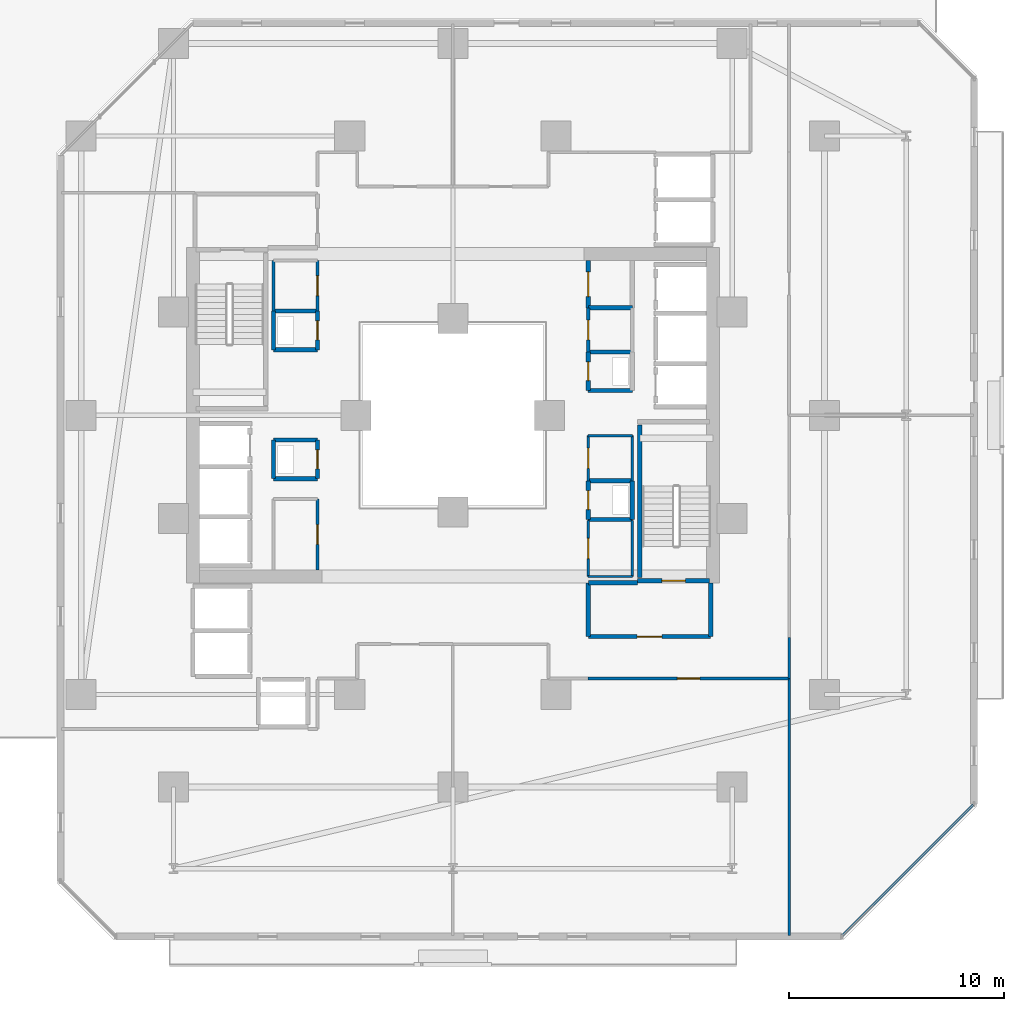
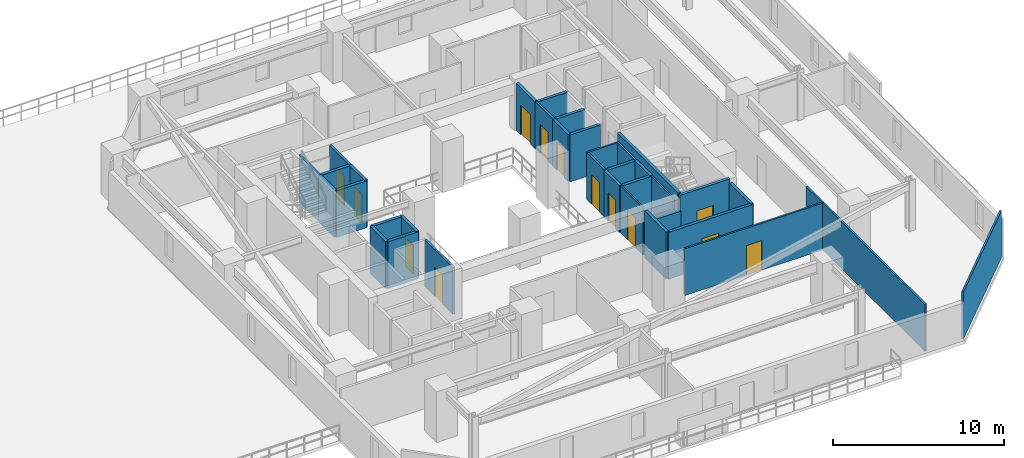
# One storey, part 23 of 34: 37 walls, 13 doors, 13 openings.
"""IFC4 building model written with IfcOpenShell, lengths in metres."""

from ifc_helpers import new_model, si_unit, direction, frame, frame_2d, origin, place, context, subcontext, project, spatial, rectangle, extrude, material, layer, layer_set, type_object, element, fill, save


model = new_model("IFC4")

# Units and contexts
model_context = context("Model", 3, precision=1e-05, world=origin(), true_north=direction((0.0, 1.0)))
body_context = subcontext(model_context, "Body", "Model", "MODEL_VIEW")
ifc_project = project(units=[si_unit("LENGTHUNIT", "METRE"), si_unit("AREAUNIT", "SQUARE_METRE"), si_unit("VOLUMEUNIT", "CUBIC_METRE"), si_unit("PLANEANGLEUNIT", "RADIAN"), si_unit("MASSUNIT", "GRAM", prefix="KILO")], contexts=[model_context])

# Site, building, storey
site_placement = place(None, origin())
site = spatial("IfcSite", under=ifc_project, at=site_placement, CompositionType="ELEMENT")
building_placement = place(site_placement, origin())
building = spatial("IfcBuilding", under=site, at=building_placement, Name="Thornwick Lancets Civic Towers", CompositionType="ELEMENT")
storey_placement = place(building_placement, frame((0.0, 0.0, 27.89990234375)))
storey = spatial("IfcBuildingStorey", under=building, at=storey_placement, Name="L06", CompositionType="ELEMENT", Elevation=27.89990234375)

# Wall, opening, door
ifc_material_1 = material(Name="Concrete blockwork C40/50", Category="masonry")
ifc_layer_1 = layer(ifc_material_1, 0.199951171875, Name="Concrete blockwork C40/50")
ifc_layer_set_1 = layer_set([ifc_layer_1], Name="Concrete blockwork C40/50")
wall_type_1 = type_object("IfcWallType", Name="WALL_COMP_200", PredefinedType="STANDARD", material=ifc_layer_set_1)
wall_1_placement = place(storey_placement, frame((94.800048828125, 16.699951171875, 0.0), z_axis=(0.0, 0.0, 1.0), x_axis=(1.0, 0.0, 0.0)))
wall_1 = element("IfcWall", 1, at=wall_1_placement, inside=storey, type_object=wall_type_1, Name="L06 Partition L06-B-FFLOB1 E1", PredefinedType="STANDARD", context=body_context, shape_type="SweptSolid", body=[
    extrude(rectangle(XDim=5.699951171875, YDim=0.199951171875, at=frame_2d((2.85009765625, 0.0))), origin(), (0.0, 0.0, 1.0), 3.340087890625),
])
opening_1_placement = place(wall_1_placement, frame((2.27490234375, 0.0, 0.0)))
opening_1 = element("IfcOpeningElement", 2, at=opening_1_placement, cuts=wall_1, Name="Opening D-L06-0333", PredefinedType="OPENING", context=body_context, shape_type="SweptSolid", body=[
    extrude(rectangle(XDim=1.14990234375, YDim=2.10009765625, at=frame_2d((0.574951171875, 1.050048828125))), frame((0.0, 0.10986328125, 0.0), z_axis=(0.0, -1.0, 0.0), x_axis=(1.0, 0.0, 0.0)), (0.0, 0.0, 1.0), 0.219970703125),
])
ifc_material_2 = material(Name="Glazed fire-resisting steel", Category="steel")
door_type_1 = type_object("IfcDoorType", Name="DOOR_LOBBY_FD60", OperationType="NOTDEFINED", PredefinedType="DOOR", material=ifc_material_2)
door_1_placement = place(opening_1_placement, origin())
door_1 = element("IfcDoor", 3, at=door_1_placement, inside=storey, type_object=door_type_1, Name="L06 East Firefighting Lobby 1 Door", OperationType="SINGLE_SWING_RIGHT", OverallHeight=2.10009765625, OverallWidth=1.14990234375, PredefinedType="DOOR", context=body_context, shape_type="SweptSolid", body=[
    extrude(rectangle(XDim=1.14990234375, YDim=2.10009765625, at=frame_2d((0.574951171875, 1.050048828125))), frame((0.0, 0.02490234375, 0.0), z_axis=(0.0, -1.0, 0.0), x_axis=(1.0, 0.0, 0.0)), (0.0, 0.0, 1.0), 0.050048828125),
])
fill(opening_1, door_1)

# Walls
wall_2_placement = place(storey_placement, frame((100.5, 16.699951171875, 0.0), z_axis=(0.0, 0.0, 1.0), x_axis=(0.0, 1.0, 0.0)))
element("IfcWall", 4, at=wall_2_placement, inside=storey, type_object=wall_type_1, Name="L06 Partition L06-B-FFLOB1 E2", PredefinedType="STANDARD", context=body_context, shape_type="SweptSolid", body=[
    extrude(rectangle(XDim=2.5, YDim=0.199951171875, at=frame_2d((1.25, 0.0))), origin(), (0.0, 0.0, 1.0), 3.340087890625),
])
wall_3_placement = place(storey_placement, frame((97.10009765625, 19.199951171875, 0.0), z_axis=(0.0, 0.0, 1.0), x_axis=(-1.0, 0.0, 0.0)))
element("IfcWall", 5, at=wall_3_placement, inside=storey, type_object=wall_type_1, Name="L06 Partition L06-B-FFLOB1 E3", PredefinedType="STANDARD", context=body_context, shape_type="SweptSolid", body=[
    extrude(rectangle(XDim=2.300048828125, YDim=0.199951171875, at=frame_2d((1.14990234375, 0.0))), origin(), (0.0, 0.0, 1.0), 2.545166015625),
])
wall_4_placement = place(storey_placement, frame((94.800048828125, 19.199951171875, 0.0), z_axis=(0.0, 0.0, 1.0), x_axis=(0.0, -1.0, 0.0)))
element("IfcWall", 6, at=wall_4_placement, inside=storey, type_object=wall_type_1, Name="L06 Partition L06-B-FFLOB1 E4", PredefinedType="STANDARD", context=body_context, shape_type="SweptSolid", body=[
    extrude(rectangle(XDim=2.5, YDim=0.199951171875, at=frame_2d((1.25, 0.0))), origin(), (0.0, 0.0, 1.0), 3.340087890625),
])
for number, where, z_axis, x_axis, name in (
    (7, (94.800048828125, 28.14990234375, 0.0), (0.0, 0.0, 1.0), (1.0, 0.0, 0.0), "L06 Partition L06-B-DUCT1 E1"),
    (8, (96.85009765625, 29.949951171875, 0.0), (0.0, 0.0, 1.0), (-1.0, 0.0, 0.0), "L06 Partition L06-B-DUCT1 E3"),
):
    element("IfcWall", number, at=place(storey_placement, frame(where, z_axis=z_axis, x_axis=x_axis)), inside=storey, type_object=wall_type_1, Name=name, PredefinedType="STANDARD", context=body_context, shape_type="SweptSolid", body=[
        extrude(rectangle(XDim=2.050048828125, YDim=0.199951171875, at=frame_2d((1.02490234375, 0.0))), origin(), (0.0, 0.0, 1.0), 3.340087890625),
    ])

# Wall, opening, door
wall_5_placement = place(storey_placement, frame((94.800048828125, 29.949951171875, 0.0), z_axis=(0.0, 0.0, 1.0), x_axis=(0.0, -1.0, 0.0)))
wall_5 = element("IfcWall", 9, at=wall_5_placement, inside=storey, type_object=wall_type_1, Name="L06 Partition L06-B-DUCT1 E4", PredefinedType="STANDARD", context=body_context, shape_type="SweptSolid", body=[
    extrude(rectangle(XDim=1.800048828125, YDim=0.199951171875, at=frame_2d((0.89990234375, 0.0))), origin(), (0.0, 0.0, 1.0), 3.340087890625),
])
opening_2_placement = place(wall_5_placement, frame((0.4599609375, 0.0, 0.0)))
opening_2 = element("IfcOpeningElement", 10, at=opening_2_placement, cuts=wall_5, Name="Opening D-L06-0335", PredefinedType="OPENING", context=body_context, shape_type="SweptSolid", body=[
    extrude(rectangle(XDim=0.8798828125, YDim=2.0400390625, at=frame_2d((0.43994140625, 1.02001953125))), frame((0.0, 0.10986328125, 0.0), z_axis=(0.0, -1.0, 0.0), x_axis=(1.0, 0.0, 0.0)), (0.0, 0.0, 1.0), 0.219970703125),
])
ifc_material_3 = material(Name="Steel riser access doorset", Category="steel")
door_type_2 = type_object("IfcDoorType", Name="DOOR_RISER_850", OperationType="NOTDEFINED", PredefinedType="DOOR", material=ifc_material_3)
door_2_placement = place(opening_2_placement, origin())
door_2 = element("IfcDoor", 11, at=door_2_placement, inside=storey, type_object=door_type_2, Name="L06 East Service Duct 1 Door", OperationType="SINGLE_SWING_RIGHT", OverallHeight=2.0400390625, OverallWidth=0.8798828125, PredefinedType="DOOR", context=body_context, shape_type="SweptSolid", body=[
    extrude(rectangle(XDim=0.8798828125, YDim=2.0400390625, at=frame_2d((0.43994140625, 1.02001953125))), frame((0.0, 0.02490234375, 0.0), z_axis=(0.0, -1.0, 0.0), x_axis=(1.0, 0.0, 0.0)), (0.0, 0.0, 1.0), 0.050048828125),
])
fill(opening_2, door_2)

# Walls
wall_6_placement = place(storey_placement, frame((94.800048828125, 22.14990234375, 0.0), z_axis=(0.0, 0.0, 1.0), x_axis=(1.0, 0.0, 0.0)))
element("IfcWall", 12, at=wall_6_placement, inside=storey, type_object=wall_type_1, Name="L06 Partition L06-B-RISER1 E1", PredefinedType="STANDARD", context=body_context, shape_type="SweptSolid", body=[
    extrude(rectangle(XDim=2.050048828125, YDim=0.199951171875, at=frame_2d((1.02490234375, 0.0))), origin(), (0.0, 0.0, 1.0), 3.340087890625),
])
wall_7_placement = place(storey_placement, frame((96.85009765625, 22.14990234375, 0.0), z_axis=(0.0, 0.0, 1.0), x_axis=(0.0, 1.0, 0.0)))
element("IfcWall", 13, at=wall_7_placement, inside=storey, type_object=wall_type_1, Name="L06 Partition L06-B-RISER1 E2", PredefinedType="STANDARD", context=body_context, shape_type="SweptSolid", body=[
    extrude(rectangle(XDim=1.800048828125, YDim=0.199951171875, at=frame_2d((0.89990234375, 0.0))), origin(), (0.0, 0.0, 1.0), 3.340087890625),
])
wall_8_placement = place(storey_placement, frame((96.85009765625, 23.949951171875, 0.0), z_axis=(0.0, 0.0, 1.0), x_axis=(-1.0, 0.0, 0.0)))
element("IfcWall", 14, at=wall_8_placement, inside=storey, type_object=wall_type_1, Name="L06 Partition L06-B-RISER1 E3", PredefinedType="STANDARD", context=body_context, shape_type="SweptSolid", body=[
    extrude(rectangle(XDim=2.050048828125, YDim=0.199951171875, at=frame_2d((1.02490234375, 0.0))), origin(), (0.0, 0.0, 1.0), 3.340087890625),
])

# Wall, opening, door
wall_9_placement = place(storey_placement, frame((94.800048828125, 23.949951171875, 0.0), z_axis=(0.0, 0.0, 1.0), x_axis=(0.0, -1.0, 0.0)))
wall_9 = element("IfcWall", 15, at=wall_9_placement, inside=storey, type_object=wall_type_1, Name="L06 Partition L06-B-RISER1 E4", PredefinedType="STANDARD", context=body_context, shape_type="SweptSolid", body=[
    extrude(rectangle(XDim=1.800048828125, YDim=0.199951171875, at=frame_2d((0.89990234375, 0.0))), origin(), (0.0, 0.0, 1.0), 3.340087890625),
])
opening_3_placement = place(wall_9_placement, frame((0.4599609375, 0.0, 0.0)))
opening_3 = element("IfcOpeningElement", 16, at=opening_3_placement, cuts=wall_9, Name="Opening D-L06-0336", PredefinedType="OPENING", context=body_context, shape_type="SweptSolid", body=[
    extrude(rectangle(XDim=0.8798828125, YDim=2.0400390625, at=frame_2d((0.43994140625, 1.02001953125))), frame((0.0, 0.10986328125, 0.0), z_axis=(0.0, -1.0, 0.0), x_axis=(1.0, 0.0, 0.0)), (0.0, 0.0, 1.0), 0.219970703125),
])
door_3_placement = place(opening_3_placement, origin())
door_3 = element("IfcDoor", 17, at=door_3_placement, inside=storey, type_object=door_type_2, Name="L06 East Electrical Riser 1 Door", OperationType="SINGLE_SWING_LEFT", OverallHeight=2.0400390625, OverallWidth=0.8798828125, PredefinedType="DOOR", context=body_context, shape_type="SweptSolid", body=[
    extrude(rectangle(XDim=0.8798828125, YDim=2.0400390625, at=frame_2d((0.43994140625, 1.02001953125))), frame((0.0, 0.02490234375, 0.0), z_axis=(0.0, -1.0, 0.0), x_axis=(1.0, 0.0, 0.0)), (0.0, 0.0, 1.0), 0.050048828125),
])
fill(opening_3, door_3)

# Wall
wall_10_placement = place(storey_placement, frame((80.14990234375, 24.050048828125, 0.0), z_axis=(0.0, 0.0, 1.0), x_axis=(1.0, 0.0, 0.0)))
element("IfcWall", 18, at=wall_10_placement, inside=storey, type_object=wall_type_1, Name="L06 Partition L06-B-DUCT2 E1", PredefinedType="STANDARD", context=body_context, shape_type="SweptSolid", body=[
    extrude(rectangle(XDim=2.050048828125, YDim=0.199951171875, at=frame_2d((1.02490234375, 0.0))), origin(), (0.0, 0.0, 1.0), 3.340087890625),
])

# Wall, opening, door
wall_11_placement = place(storey_placement, frame((82.199951171875, 24.050048828125, 0.0), z_axis=(0.0, 0.0, 1.0), x_axis=(0.0, 1.0, 0.0)))
wall_11 = element("IfcWall", 19, at=wall_11_placement, inside=storey, type_object=wall_type_1, Name="L06 Partition L06-B-DUCT2 E2", PredefinedType="STANDARD", context=body_context, shape_type="SweptSolid", body=[
    extrude(rectangle(XDim=1.800048828125, YDim=0.199951171875, at=frame_2d((0.89990234375, 0.0))), origin(), (0.0, 0.0, 1.0), 3.340087890625),
])
opening_4_placement = place(wall_11_placement, frame((0.4599609375, 0.0, 0.0)))
opening_4 = element("IfcOpeningElement", 20, at=opening_4_placement, cuts=wall_11, Name="Opening D-L06-0337", PredefinedType="OPENING", context=body_context, shape_type="SweptSolid", body=[
    extrude(rectangle(XDim=0.8798828125, YDim=2.0400390625, at=frame_2d((0.43994140625, 1.02001953125))), frame((0.0, 0.10986328125, 0.0), z_axis=(0.0, -1.0, 0.0), x_axis=(1.0, 0.0, 0.0)), (0.0, 0.0, 1.0), 0.219970703125),
])
door_4_placement = place(opening_4_placement, origin())
door_4 = element("IfcDoor", 21, at=door_4_placement, inside=storey, type_object=door_type_2, Name="L06 West Service Duct 2 Door", OperationType="SINGLE_SWING_RIGHT", OverallHeight=2.0400390625, OverallWidth=0.8798828125, PredefinedType="DOOR", context=body_context, shape_type="SweptSolid", body=[
    extrude(rectangle(XDim=0.8798828125, YDim=2.0400390625, at=frame_2d((0.43994140625, 1.02001953125))), frame((0.0, 0.02490234375, 0.0), z_axis=(0.0, -1.0, 0.0), x_axis=(1.0, 0.0, 0.0)), (0.0, 0.0, 1.0), 0.050048828125),
])
fill(opening_4, door_4)

# Walls
wall_12_placement = place(storey_placement, frame((82.199951171875, 25.85009765625, 0.0), z_axis=(0.0, 0.0, 1.0), x_axis=(-1.0, 0.0, 0.0)))
element("IfcWall", 22, at=wall_12_placement, inside=storey, type_object=wall_type_1, Name="L06 Partition L06-B-DUCT2 E3", PredefinedType="STANDARD", context=body_context, shape_type="SweptSolid", body=[
    extrude(rectangle(XDim=2.050048828125, YDim=0.199951171875, at=frame_2d((1.02490234375, 0.0))), origin(), (0.0, 0.0, 1.0), 3.340087890625),
])
wall_13_placement = place(storey_placement, frame((80.14990234375, 25.85009765625, 0.0), z_axis=(0.0, 0.0, 1.0), x_axis=(0.0, -1.0, 0.0)))
element("IfcWall", 23, at=wall_13_placement, inside=storey, type_object=wall_type_1, Name="L06 Partition L06-B-DUCT2 E4", PredefinedType="STANDARD", context=body_context, shape_type="SweptSolid", body=[
    extrude(rectangle(XDim=1.800048828125, YDim=0.199951171875, at=frame_2d((0.89990234375, 0.0))), origin(), (0.0, 0.0, 1.0), 3.340087890625),
])
wall_14_placement = place(storey_placement, frame((80.14990234375, 30.050048828125, 0.0), z_axis=(0.0, 0.0, 1.0), x_axis=(1.0, 0.0, 0.0)))
element("IfcWall", 24, at=wall_14_placement, inside=storey, type_object=wall_type_1, Name="L06 Partition L06-B-RISER2 E1", PredefinedType="STANDARD", context=body_context, shape_type="SweptSolid", body=[
    extrude(rectangle(XDim=2.050048828125, YDim=0.199951171875, at=frame_2d((1.02490234375, 0.0))), origin(), (0.0, 0.0, 1.0), 3.340087890625),
])

# Wall, opening, door
wall_15_placement = place(storey_placement, frame((82.199951171875, 30.050048828125, 0.0), z_axis=(0.0, 0.0, 1.0), x_axis=(0.0, 1.0, 0.0)))
wall_15 = element("IfcWall", 25, at=wall_15_placement, inside=storey, type_object=wall_type_1, Name="L06 Partition L06-B-RISER2 E2", PredefinedType="STANDARD", context=body_context, shape_type="SweptSolid", body=[
    extrude(rectangle(XDim=1.800048828125, YDim=0.199951171875, at=frame_2d((0.89990234375, 0.0))), origin(), (0.0, 0.0, 1.0), 3.340087890625),
])
opening_5_placement = place(wall_15_placement, frame((0.4599609375, 0.0, 0.0)))
opening_5 = element("IfcOpeningElement", 26, at=opening_5_placement, cuts=wall_15, Name="Opening D-L06-0338", PredefinedType="OPENING", context=body_context, shape_type="SweptSolid", body=[
    extrude(rectangle(XDim=0.8798828125, YDim=2.0400390625, at=frame_2d((0.43994140625, 1.02001953125))), frame((0.0, 0.10986328125, 0.0), z_axis=(0.0, -1.0, 0.0), x_axis=(1.0, 0.0, 0.0)), (0.0, 0.0, 1.0), 0.219970703125),
])
door_5_placement = place(opening_5_placement, origin())
door_5 = element("IfcDoor", 27, at=door_5_placement, inside=storey, type_object=door_type_2, Name="L06 West Service Riser 2 Door", OperationType="SINGLE_SWING_LEFT", OverallHeight=2.0400390625, OverallWidth=0.8798828125, PredefinedType="DOOR", context=body_context, shape_type="SweptSolid", body=[
    extrude(rectangle(XDim=0.8798828125, YDim=2.0400390625, at=frame_2d((0.43994140625, 1.02001953125))), frame((0.0, 0.02490234375, 0.0), z_axis=(0.0, -1.0, 0.0), x_axis=(1.0, 0.0, 0.0)), (0.0, 0.0, 1.0), 0.050048828125),
])
fill(opening_5, door_5)

# Walls
wall_16_placement = place(storey_placement, frame((82.199951171875, 31.85009765625, 0.0), z_axis=(0.0, 0.0, 1.0), x_axis=(-1.0, 0.0, 0.0)))
element("IfcWall", 28, at=wall_16_placement, inside=storey, type_object=wall_type_1, Name="L06 Partition L06-B-RISER2 E3", PredefinedType="STANDARD", context=body_context, shape_type="SweptSolid", body=[
    extrude(rectangle(XDim=2.050048828125, YDim=0.199951171875, at=frame_2d((1.02490234375, 0.0))), origin(), (0.0, 0.0, 1.0), 3.340087890625),
])
wall_17_placement = place(storey_placement, frame((80.14990234375, 31.85009765625, 0.0), z_axis=(0.0, 0.0, 1.0), x_axis=(0.0, -1.0, 0.0)))
element("IfcWall", 29, at=wall_17_placement, inside=storey, type_object=wall_type_1, Name="L06 Partition L06-B-RISER2 E4", PredefinedType="STANDARD", context=body_context, shape_type="SweptSolid", body=[
    extrude(rectangle(XDim=1.800048828125, YDim=0.199951171875, at=frame_2d((0.89990234375, 0.0))), origin(), (0.0, 0.0, 1.0), 3.340087890625),
])

# Wall, opening, door
wall_18_placement = place(storey_placement, frame((94.800048828125, 32.0, 0.0), z_axis=(0.0, 0.0, 1.0), x_axis=(0.0, 1.0, 0.0)))
wall_18 = element("IfcWall", 30, at=wall_18_placement, inside=storey, type_object=wall_type_1, Name="L06 Partition L06-B-STR2 E1", PredefinedType="STANDARD", context=body_context, shape_type="SweptSolid", body=[
    extrude(rectangle(XDim=2.199951171875, YDim=0.199951171875, at=frame_2d((1.10009765625, 0.0))), origin(), (0.0, 0.0, 1.0), 3.340087890625),
])
opening_6_placement = place(wall_18_placement, frame((0.52490234375, 0.0, 0.0)))
opening_6 = element("IfcOpeningElement", 31, at=opening_6_placement, cuts=wall_18, Name="Opening D-L06-0342", PredefinedType="OPENING", context=body_context, shape_type="SweptSolid", body=[
    extrude(rectangle(XDim=1.14990234375, YDim=2.10009765625, at=frame_2d((0.574951171875, 1.050048828125))), frame((0.0, 0.10986328125, 0.0), z_axis=(0.0, -1.0, 0.0), x_axis=(1.0, 0.0, 0.0)), (0.0, 0.0, 1.0), 0.219970703125),
])
door_6_placement = place(opening_6_placement, origin())
door_6 = element("IfcDoor", 32, at=door_6_placement, inside=storey, type_object=door_type_1, Name="L06 Tower B Core Supplies Store Door", OperationType="SINGLE_SWING_LEFT", OverallHeight=2.10009765625, OverallWidth=1.14990234375, PredefinedType="DOOR", context=body_context, shape_type="SweptSolid", body=[
    extrude(rectangle(XDim=1.14990234375, YDim=2.10009765625, at=frame_2d((0.574951171875, 1.050048828125))), frame((0.0, 0.02490234375, 0.0), z_axis=(0.0, -1.0, 0.0), x_axis=(1.0, 0.0, 0.0)), (0.0, 0.0, 1.0), 0.050048828125),
])
fill(opening_6, door_6)

# Walls
wall_19_placement = place(storey_placement, frame((96.85009765625, 32.0, 0.0), z_axis=(0.0, 0.0, 1.0), x_axis=(-1.0, 0.0, 0.0)))
element("IfcWall", 33, at=wall_19_placement, inside=storey, type_object=wall_type_1, Name="L06 Partition L06-B-STR2 E4", PredefinedType="STANDARD", context=body_context, shape_type="SweptSolid", body=[
    extrude(rectangle(XDim=2.050048828125, YDim=0.199951171875, at=frame_2d((1.02490234375, 0.0))), origin(), (0.0, 0.0, 1.0), 3.340087890625),
])
ifc_material_4 = material(Name="Lightweight cellular office partition")
ifc_layer_2 = layer(ifc_material_4, 0.10009765625, Name="Lightweight cellular office partition")
ifc_layer_set_2 = layer_set([ifc_layer_2], Name="Lightweight cellular office partition")
wall_type_2 = type_object("IfcWallType", Name="WALL_PART_100", PredefinedType="PARTITIONING", material=ifc_layer_set_2)
wall_20_placement = place(storey_placement, frame((94.800048828125, 19.5, 0.0), z_axis=(0.0, 0.0, 1.0), x_axis=(1.0, 0.0, 0.0)))
element("IfcWall", 34, at=wall_20_placement, inside=storey, type_object=wall_type_2, Name="L06 Partition L06-B-CLN E1", PredefinedType="PARTITIONING", context=body_context, shape_type="SweptSolid", body=[
    extrude(rectangle(XDim=2.050048828125, YDim=0.10009765625, at=frame_2d((1.02490234375, 0.0))), origin(), (0.0, 0.0, 1.0), 2.545166015625),
])
wall_21_placement = place(storey_placement, frame((96.85009765625, 19.5, 0.0), z_axis=(0.0, 0.0, 1.0), x_axis=(0.0, 1.0, 0.0)))
element("IfcWall", 35, at=wall_21_placement, inside=storey, type_object=wall_type_2, Name="L06 Partition L06-B-CLN E2", PredefinedType="PARTITIONING", context=body_context, shape_type="SweptSolid", body=[
    extrude(rectangle(XDim=2.60009765625, YDim=0.10009765625, at=frame_2d((1.300048828125, 0.0))), origin(), (0.0, 0.0, 1.0), 3.340087890625),
])

# Wall, opening, door
wall_22_placement = place(storey_placement, frame((94.800048828125, 22.10009765625, 0.0), z_axis=(0.0, 0.0, 1.0), x_axis=(0.0, -1.0, 0.0)))
wall_22 = element("IfcWall", 36, at=wall_22_placement, inside=storey, type_object=wall_type_2, Name="L06 Partition L06-B-CLN E4", PredefinedType="PARTITIONING", context=body_context, shape_type="SweptSolid", body=[
    extrude(rectangle(XDim=2.60009765625, YDim=0.10009765625, at=frame_2d((1.300048828125, 0.0))), origin(), (0.0, 0.0, 1.0), 3.340087890625),
])
opening_7_placement = place(wall_22_placement, frame((0.824951171875, 0.0, 0.0)))
opening_7 = element("IfcOpeningElement", 37, at=opening_7_placement, cuts=wall_22, Name="Opening D-L06-0339", PredefinedType="OPENING", context=body_context, shape_type="SweptSolid", body=[
    extrude(rectangle(XDim=0.949951171875, YDim=2.10009765625, at=frame_2d((0.47509765625, 1.050048828125))), frame((0.0, 0.06005859375, 0.0), z_axis=(0.0, -1.0, 0.0), x_axis=(1.0, 0.0, 0.0)), (0.0, 0.0, 1.0), 0.1201171875),
])
ifc_material_5 = material(Name="European oak acoustic doorset")
door_type_3 = type_object("IfcDoorType", Name="DOOR_OFFICE_950", OperationType="NOTDEFINED", PredefinedType="DOOR", material=ifc_material_5)
door_7_placement = place(opening_7_placement, origin())
door_7 = element("IfcDoor", 38, at=door_7_placement, inside=storey, type_object=door_type_3, Name="L06 Tower B Cleaners Store Door", OperationType="SINGLE_SWING_RIGHT", OverallHeight=2.10009765625, OverallWidth=0.949951171875, PredefinedType="DOOR", context=body_context, shape_type="SweptSolid", body=[
    extrude(rectangle(XDim=0.949951171875, YDim=2.10009765625, at=frame_2d((0.47509765625, 1.050048828125))), frame((0.0, 0.02490234375, 0.0), z_axis=(0.0, -1.0, 0.0), x_axis=(1.0, 0.0, 0.0)), (0.0, 0.0, 1.0), 0.050048828125),
])
fill(opening_7, door_7)

ifc_material_6 = material(Name="Acoustic gypsum board partition")
ifc_layer_3 = layer(ifc_material_6, 0.1201171875, Name="Acoustic gypsum board partition")
ifc_layer_set_3 = layer_set([ifc_layer_3], Name="Acoustic gypsum board partition")
wall_type_3 = type_object("IfcWallType", Name="WALL_PART_120", PredefinedType="PARTITIONING", material=ifc_layer_set_3)
wall_23_placement = place(storey_placement, frame((94.800048828125, 23.949951171875, 0.0), z_axis=(0.0, 0.0, 1.0), x_axis=(0.0, 1.0, 0.0)))
wall_23 = element("IfcWall", 39, at=wall_23_placement, inside=storey, type_object=wall_type_3, Name="L06 Partition L06-B-ITR E1", PredefinedType="PARTITIONING", context=body_context, shape_type="SweptSolid", body=[
    extrude(rectangle(XDim=2.10009765625, YDim=0.1201171875, at=frame_2d((1.050048828125, 0.0))), origin(), (0.0, 0.0, 1.0), 3.340087890625),
])
opening_8_placement = place(wall_23_placement, frame((0.574951171875, 0.0, 0.0)))
opening_8 = element("IfcOpeningElement", 40, at=opening_8_placement, cuts=wall_23, Name="Opening D-L06-0340", PredefinedType="OPENING", context=body_context, shape_type="SweptSolid", body=[
    extrude(rectangle(XDim=0.949951171875, YDim=2.10009765625, at=frame_2d((0.47509765625, 1.050048828125))), frame((0.0, 0.070068359375, 0.0), z_axis=(0.0, -1.0, 0.0), x_axis=(1.0, 0.0, 0.0)), (0.0, 0.0, 1.0), 0.14013671875),
])
door_8_placement = place(opening_8_placement, origin())
door_8 = element("IfcDoor", 41, at=door_8_placement, inside=storey, type_object=door_type_3, Name="L06 Tower B Comms Patch Room Door", OperationType="SINGLE_SWING_LEFT", OverallHeight=2.10009765625, OverallWidth=0.949951171875, PredefinedType="DOOR", context=body_context, shape_type="SweptSolid", body=[
    extrude(rectangle(XDim=0.949951171875, YDim=2.10009765625, at=frame_2d((0.47509765625, 1.050048828125))), frame((0.0, 0.02490234375, 0.0), z_axis=(0.0, -1.0, 0.0), x_axis=(1.0, 0.0, 0.0)), (0.0, 0.0, 1.0), 0.050048828125),
])
fill(opening_8, door_8)

# Walls
wall_24_placement = place(storey_placement, frame((94.800048828125, 26.050048828125, 0.0), z_axis=(0.0, 0.0, 1.0), x_axis=(1.0, 0.0, 0.0)))
element("IfcWall", 42, at=wall_24_placement, inside=storey, type_object=wall_type_3, Name="L06 Partition L06-B-ITR E2", PredefinedType="PARTITIONING", context=body_context, shape_type="SweptSolid", body=[
    extrude(rectangle(XDim=2.050048828125, YDim=0.1201171875, at=frame_2d((1.02490234375, 0.0))), origin(), (0.0, 0.0, 1.0), 3.340087890625),
])
wall_25_placement = place(storey_placement, frame((96.85009765625, 26.050048828125, 0.0), z_axis=(0.0, 0.0, 1.0), x_axis=(0.0, -1.0, 0.0)))
element("IfcWall", 43, at=wall_25_placement, inside=storey, type_object=wall_type_3, Name="L06 Partition L06-B-ITR E3", PredefinedType="PARTITIONING", context=body_context, shape_type="SweptSolid", body=[
    extrude(rectangle(XDim=2.10009765625, YDim=0.1201171875, at=frame_2d((1.050048828125, 0.0))), origin(), (0.0, 0.0, 1.0), 3.340087890625),
])

# Wall, opening, door
wall_26_placement = place(storey_placement, frame((94.800048828125, 14.75, 0.0), z_axis=(0.0, 0.0, 1.0), x_axis=(1.0, 0.0, 0.0)))
wall_26 = element("IfcWall", 44, at=wall_26_placement, inside=storey, type_object=wall_type_3, Name="L06 Partition L06-B-W1 E3", PredefinedType="PARTITIONING", context=body_context, shape_type="SweptSolid", body=[
    extrude(rectangle(XDim=9.349853515625, YDim=0.1201171875, at=frame_2d((4.6748046875, 0.0))), origin(), (0.0, 0.0, 1.0), 3.340087890625),
])
opening_9_placement = place(wall_26_placement, frame((4.14990234375, 0.0, 0.0)))
opening_9 = element("IfcOpeningElement", 45, at=opening_9_placement, cuts=wall_26, Name="Opening D-L06-0351", PredefinedType="OPENING", context=body_context, shape_type="SweptSolid", body=[
    extrude(rectangle(XDim=1.050048828125, YDim=2.10009765625, at=frame_2d((0.52490234375, 1.050048828125))), frame((0.0, 0.070068359375, 0.0), z_axis=(0.0, -1.0, 0.0), x_axis=(1.0, 0.0, 0.0)), (0.0, 0.0, 1.0), 0.14013671875),
])
ifc_material_7 = material(Name="Glazed European oak executive doorset")
door_type_4 = type_object("IfcDoorType", Name="DOOR_OFFICE_1050", OperationType="NOTDEFINED", PredefinedType="DOOR", material=ifc_material_7)
door_9_placement = place(opening_9_placement, origin())
door_9 = element("IfcDoor", 46, at=door_9_placement, inside=storey, type_object=door_type_4, Name="L06 Tower B Ministry Directorate Office W1 Door", OperationType="SINGLE_SWING_RIGHT", OverallHeight=2.10009765625, OverallWidth=1.050048828125, PredefinedType="DOOR", context=body_context, shape_type="SweptSolid", body=[
    extrude(rectangle(XDim=1.050048828125, YDim=2.10009765625, at=frame_2d((0.52490234375, 1.050048828125))), frame((0.0, 0.02490234375, 0.0), z_axis=(0.0, -1.0, 0.0), x_axis=(1.0, 0.0, 0.0)), (0.0, 0.0, 1.0), 0.050048828125),
])
fill(opening_9, door_9)

# Walls
wall_27_placement = place(storey_placement, frame((104.14990234375, 14.75, 0.0), z_axis=(0.0, 0.0, 1.0), x_axis=(0.0, -1.0, 0.0)))
element("IfcWall", 47, at=wall_27_placement, inside=storey, type_object=wall_type_3, Name="L06 Partition L06-B-W1 E4", PredefinedType="PARTITIONING", context=body_context, shape_type="SweptSolid", body=[
    extrude(rectangle(XDim=11.969970703125, YDim=0.1201171875, at=frame_2d((5.98486328125, 0.0))), origin(), (0.0, 0.0, 1.0), 3.340087890625),
])
wall_28_placement = place(storey_placement, frame((104.14990234375, 14.75, 0.0), z_axis=(0.0, 0.0, 1.0), x_axis=(0.0, 1.0, 0.0)))
element("IfcWall", 48, at=wall_28_placement, inside=storey, type_object=wall_type_3, Name="L06 Partition L06-B-S-OFF E3", PredefinedType="PARTITIONING", context=body_context, shape_type="SweptSolid", body=[
    extrude(rectangle(XDim=1.89990234375, YDim=0.1201171875, at=frame_2d((0.949951171875, 0.0))), origin(), (0.0, 0.0, 1.0), 3.340087890625),
])
wall_29_placement = place(storey_placement, frame((112.719970703125, 8.87451171875, 0.0), z_axis=(0.0, 0.0, 1.0), x_axis=(-0.707106781187, -0.707106781187, 0.0)))
element("IfcWall", 49, at=wall_29_placement, inside=storey, type_object=wall_type_3, Name="L06 Partition L06-B-S-OFF E7", PredefinedType="PARTITIONING", context=body_context, shape_type="SweptSolid", body=[
    extrude(rectangle(XDim=8.618896484375, YDim=0.1201171875, at=frame_2d((4.3095703125, 0.0))), origin(), (0.0, 0.0, 1.0), 3.340087890625),
])

# Wall, opening, door
ifc_material_8 = material(Name="Twin-stud acoustic gypsum board")
ifc_layer_4 = layer(ifc_material_8, 0.14990234375, Name="Twin-stud acoustic gypsum board")
ifc_layer_set_4 = layer_set([ifc_layer_4], Name="Twin-stud acoustic gypsum board")
wall_type_4 = type_object("IfcWallType", Name="WALL_PART_150", PredefinedType="PARTITIONING", material=ifc_layer_set_4)
wall_30_placement = place(storey_placement, frame((94.800048828125, 29.949951171875, 0.0), z_axis=(0.0, 0.0, 1.0), x_axis=(0.0, 1.0, 0.0)))
wall_30 = element("IfcWall", 50, at=wall_30_placement, inside=storey, type_object=wall_type_4, Name="L06 Partition L06-B-AWC E1", PredefinedType="PARTITIONING", context=body_context, shape_type="SweptSolid", body=[
    extrude(rectangle(XDim=2.050048828125, YDim=0.14990234375, at=frame_2d((1.02490234375, 0.0))), origin(), (0.0, 0.0, 1.0), 3.340087890625),
])
opening_10_placement = place(wall_30_placement, frame((0.56494140625, 0.0, 0.0)))
opening_10 = element("IfcOpeningElement", 51, at=opening_10_placement, cuts=wall_30, Name="Opening D-L06-0341", PredefinedType="OPENING", context=body_context, shape_type="SweptSolid", body=[
    extrude(rectangle(XDim=0.919921875, YDim=2.080078125, at=frame_2d((0.4599609375, 1.0400390625))), frame((0.0, 0.0849609375, 0.0), z_axis=(0.0, -1.0, 0.0), x_axis=(1.0, 0.0, 0.0)), (0.0, 0.0, 1.0), 0.169921875),
])
ifc_material_9 = material(Name="Moisture-resistant oak doorset")
door_type_5 = type_object("IfcDoorType", Name="DOOR_WC_900", OperationType="NOTDEFINED", PredefinedType="DOOR", material=ifc_material_9)
door_10_placement = place(opening_10_placement, origin())
door_10 = element("IfcDoor", 52, at=door_10_placement, inside=storey, type_object=door_type_5, Name="L06 Tower B Accessible WC Door", OperationType="SINGLE_SWING_RIGHT", OverallHeight=2.080078125, OverallWidth=0.919921875, PredefinedType="DOOR", context=body_context, shape_type="SweptSolid", body=[
    extrude(rectangle(XDim=0.919921875, YDim=2.080078125, at=frame_2d((0.4599609375, 1.0400390625))), frame((0.0, 0.02490234375, 0.0), z_axis=(0.0, -1.0, 0.0), x_axis=(1.0, 0.0, 0.0)), (0.0, 0.0, 1.0), 0.050048828125),
])
fill(opening_10, door_10)

wall_31_placement = place(storey_placement, frame((82.199951171875, 19.800048828125, 0.0), z_axis=(0.0, 0.0, 1.0), x_axis=(0.0, 1.0, 0.0)))
wall_31 = element("IfcWall", 53, at=wall_31_placement, inside=storey, type_object=wall_type_4, Name="L06 Partition L06-B-MWC E2", PredefinedType="PARTITIONING", context=body_context, shape_type="SweptSolid", body=[
    extrude(rectangle(XDim=3.300048828125, YDim=0.14990234375, at=frame_2d((1.64990234375, 0.0))), origin(), (0.0, 0.0, 1.0), 3.340087890625),
])
opening_11_placement = place(wall_31_placement, frame((1.18994140625, 0.0, 0.0)))
opening_11 = element("IfcOpeningElement", 54, at=opening_11_placement, cuts=wall_31, Name="Opening D-L06-0343", PredefinedType="OPENING", context=body_context, shape_type="SweptSolid", body=[
    extrude(rectangle(XDim=0.919921875, YDim=2.080078125, at=frame_2d((0.4599609375, 1.0400390625))), frame((0.0, 0.0849609375, 0.0), z_axis=(0.0, -1.0, 0.0), x_axis=(1.0, 0.0, 0.0)), (0.0, 0.0, 1.0), 0.169921875),
])
door_11_placement = place(opening_11_placement, origin())
door_11 = element("IfcDoor", 55, at=door_11_placement, inside=storey, type_object=door_type_5, Name="L06 Tower B Male WC Door", OperationType="SINGLE_SWING_RIGHT", OverallHeight=2.080078125, OverallWidth=0.919921875, PredefinedType="DOOR", context=body_context, shape_type="SweptSolid", body=[
    extrude(rectangle(XDim=0.919921875, YDim=2.080078125, at=frame_2d((0.4599609375, 1.0400390625))), frame((0.0, 0.02490234375, 0.0), z_axis=(0.0, -1.0, 0.0), x_axis=(1.0, 0.0, 0.0)), (0.0, 0.0, 1.0), 0.050048828125),
])
fill(opening_11, door_11)

# Wall
wall_32_placement = place(storey_placement, frame((80.14990234375, 31.85009765625, 0.0), z_axis=(0.0, 0.0, 1.0), x_axis=(0.0, 1.0, 0.0)))
element("IfcWall", 56, at=wall_32_placement, inside=storey, type_object=wall_type_4, Name="L06 Partition L06-B-FWC E1", PredefinedType="PARTITIONING", context=body_context, shape_type="SweptSolid", body=[
    extrude(rectangle(XDim=2.349853515625, YDim=0.14990234375, at=frame_2d((1.1748046875, 0.0))), origin(), (0.0, 0.0, 1.0), 3.340087890625),
])

# Wall, opening, door
wall_33_placement = place(storey_placement, frame((82.199951171875, 34.199951171875, 0.0), z_axis=(0.0, 0.0, 1.0), x_axis=(0.0, -1.0, 0.0)))
wall_33 = element("IfcWall", 57, at=wall_33_placement, inside=storey, type_object=wall_type_4, Name="L06 Partition L06-B-FWC E3", PredefinedType="PARTITIONING", context=body_context, shape_type="SweptSolid", body=[
    extrude(rectangle(XDim=2.349853515625, YDim=0.14990234375, at=frame_2d((1.1748046875, 0.0))), origin(), (0.0, 0.0, 1.0), 3.340087890625),
])
opening_12_placement = place(wall_33_placement, frame((0.715087890625, 0.0, 0.0)))
opening_12 = element("IfcOpeningElement", 58, at=opening_12_placement, cuts=wall_33, Name="Opening D-L06-0344", PredefinedType="OPENING", context=body_context, shape_type="SweptSolid", body=[
    extrude(rectangle(XDim=0.919921875, YDim=2.080078125, at=frame_2d((0.4599609375, 1.0400390625))), frame((0.0, 0.0849609375, 0.0), z_axis=(0.0, -1.0, 0.0), x_axis=(1.0, 0.0, 0.0)), (0.0, 0.0, 1.0), 0.169921875),
])
door_12_placement = place(opening_12_placement, origin())
door_12 = element("IfcDoor", 59, at=door_12_placement, inside=storey, type_object=door_type_5, Name="L06 Tower B Female WC Door", OperationType="SINGLE_SWING_LEFT", OverallHeight=2.080078125, OverallWidth=0.919921875, PredefinedType="DOOR", context=body_context, shape_type="SweptSolid", body=[
    extrude(rectangle(XDim=0.919921875, YDim=2.080078125, at=frame_2d((0.4599609375, 1.0400390625))), frame((0.0, 0.02490234375, 0.0), z_axis=(0.0, -1.0, 0.0), x_axis=(1.0, 0.0, 0.0)), (0.0, 0.0, 1.0), 0.050048828125),
])
fill(opening_12, door_12)

ifc_material_10 = material(Name="Concrete C40/50", Category="concrete")
ifc_layer_5 = layer(ifc_material_10, 0.199951171875, Name="Concrete C40/50")
ifc_layer_set_5 = layer_set([ifc_layer_5], Name="Concrete C40/50")
wall_type_5 = type_object("IfcWallType", Name="WALL_SHAFT_200", PredefinedType="SHEAR", material=ifc_layer_set_5)
wall_34_placement = place(storey_placement, frame((100.449951171875, 19.300048828125, 0.0), z_axis=(0.0, 0.0, 1.0), x_axis=(-1.0, 0.0, 0.0)))
wall_34 = element("IfcWall", 60, at=wall_34_placement, inside=storey, type_object=wall_type_5, Name="L06 ST-B1 Fire Stair Core Wall NEAR", PredefinedType="SHEAR", context=body_context, shape_type="SweptSolid", body=[
    extrude(rectangle(XDim=3.349853515625, YDim=0.199951171875, at=frame_2d((1.6748046875, 0.0))), origin(), (0.0, 0.0, 1.0), 3.60009765625),
])
opening_13_placement = place(wall_34_placement, frame((1.125, 0.0, 0.0)))
opening_13 = element("IfcOpeningElement", 61, at=opening_13_placement, cuts=wall_34, Name="Opening D-ST-B1-L06", PredefinedType="OPENING", context=body_context, shape_type="SweptSolid", body=[
    extrude(rectangle(XDim=1.10009765625, YDim=2.10009765625, at=frame_2d((0.550048828125, 1.050048828125))), frame((0.0, 0.10986328125, 0.0), z_axis=(0.0, -1.0, 0.0), x_axis=(1.0, 0.0, 0.0)), (0.0, 0.0, 1.0), 0.219970703125),
])
ifc_material_11 = material(Name="Fire-resisting steel and hardwood", Category="steel")
door_type_6 = type_object("IfcDoorType", Name="DOOR_STAIR_FD60", OperationType="NOTDEFINED", PredefinedType="DOOR", material=ifc_material_11)
door_13_placement = place(opening_13_placement, origin())
door_13 = element("IfcDoor", 62, at=door_13_placement, inside=storey, type_object=door_type_6, Name="L06 ST-B1 Exit Stair Door", OperationType="SINGLE_SWING_RIGHT", OverallHeight=2.10009765625, OverallWidth=1.10009765625, PredefinedType="DOOR", context=body_context, shape_type="SweptSolid", body=[
    extrude(rectangle(XDim=1.10009765625, YDim=2.10009765625, at=frame_2d((0.550048828125, 1.050048828125))), frame((0.0, 0.02490234375, 0.0), z_axis=(0.0, -1.0, 0.0), x_axis=(1.0, 0.0, 0.0)), (0.0, 0.0, 1.0), 0.050048828125),
])
fill(opening_13, door_13)

# Wall
wall_35_placement = place(storey_placement, frame((97.202880859375, 26.550048828125, 0.0), z_axis=(0.0, 0.0, 1.0), x_axis=(0.0, -1.0, 0.0)))
element("IfcWall", 63, at=wall_35_placement, inside=storey, type_object=wall_type_5, Name="L06 ST-B1 Fire Stair Core Wall RIGHT", PredefinedType="SHEAR", context=body_context, shape_type="SweptSolid", body=[
    extrude(rectangle(XDim=7.10009765625, YDim=0.199951171875, at=frame_2d((3.550048828125, 0.0))), origin(), (0.0, 0.0, 1.0), 3.60009765625),
])

save(model, "model.ifc")
